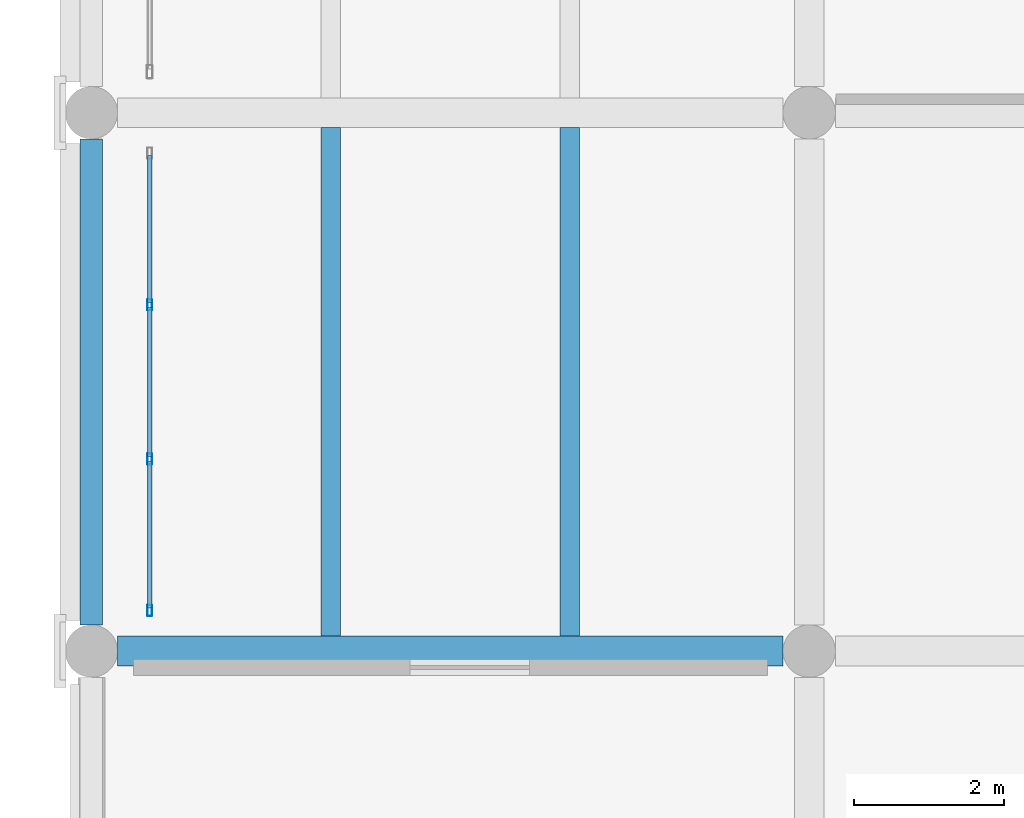
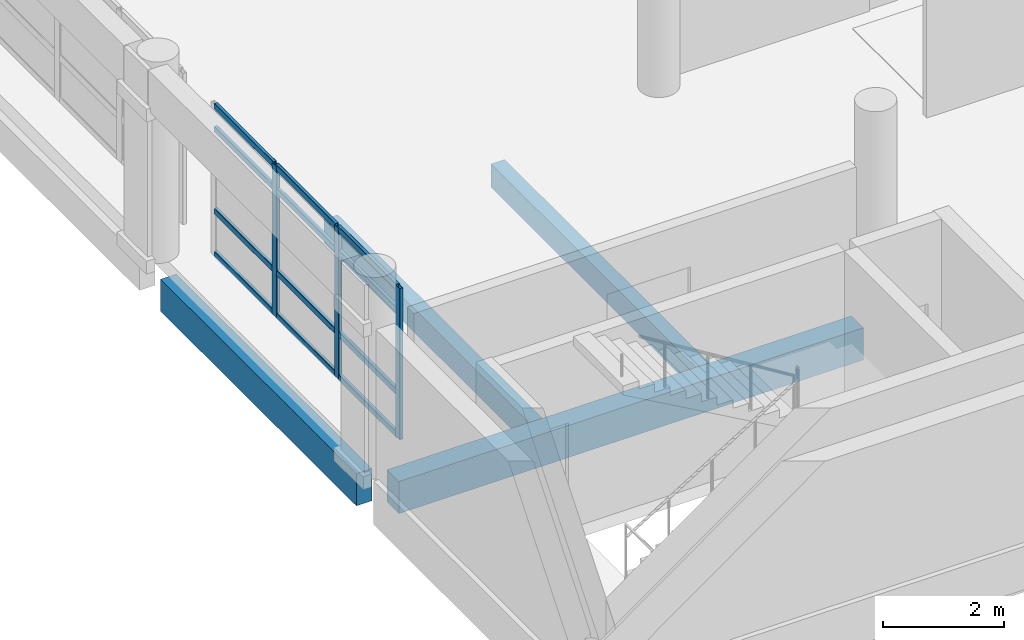
# One storey, part 35 of 180: 15 members, 4 beams, 1 element without a shape of its own.
"""IFC4 building model written with IfcOpenShell, lengths in metres."""

from ifc_helpers import new_model, si_unit, direction, frame, origin, origin_2d, place, context, subcontext, project, spatial, rectangle, hollow_rectangle, extrude, material, layer, layer_set, material_profile, profile_set, type_object, element, aggregate, save


model = new_model("IFC4")

# Units and contexts
model_context = context("Model", 3, precision=1e-05, world=origin(), true_north=direction((0.0, 1.0)))
body_context = subcontext(model_context, "Body", "Model", "MODEL_VIEW")
ifc_project = project(units=[si_unit("LENGTHUNIT", "METRE"), si_unit("AREAUNIT", "SQUARE_METRE"), si_unit("VOLUMEUNIT", "CUBIC_METRE"), si_unit("PLANEANGLEUNIT", "RADIAN"), si_unit("MASSUNIT", "GRAM", prefix="KILO")], contexts=[model_context])

# Site, building, storey
site_placement = place(None, origin())
site = spatial("IfcSite", under=ifc_project, at=site_placement, CompositionType="ELEMENT")
building_placement = place(site_placement, origin())
building = spatial("IfcBuilding", under=site, at=building_placement, Name="Asteropetra Specialist Clinic", CompositionType="ELEMENT")
storey_placement = place(building_placement, frame((0.0, 0.0, 4.419921875)))
storey = spatial("IfcBuildingStorey", under=building, at=storey_placement, Name="L01", CompositionType="ELEMENT", Elevation=4.419921875)

# Beam
ifc_material_1 = material(Name="Concrete C35/45", Category="concrete")
ifc_material_profile_1 = material_profile(ifc_material_1, rectangle(XDim=0.39990234375, YDim=0.64990234375, at=origin_2d()), Name="RCB 400x650")
ifc_profile_set_1 = profile_set([ifc_material_profile_1], Name="Concrete C35/45")
beam_type_1 = type_object("IfcBeamType", Name="BM-RC400x650", PredefinedType="BEAM", material=ifc_profile_set_1)
beam_1_placement = place(storey_placement, frame((0.35009765625, 40.800048828125, -0.625), z_axis=(1.0, 0.0, 0.0), x_axis=(0.0, 1.0, 0.0)))
element("IfcBeam", 1, at=beam_1_placement, inside=storey, type_object=beam_type_1, Name="Beam BBM07-0314", PredefinedType="BEAM", context=body_context, shape_type="SweptSolid", body=[
    extrude(rectangle(XDim=0.39990234375, YDim=0.64990234375, at=origin_2d()), origin(), (0.0, 0.0, 1.0), 8.89990234375),
])

# Curtain wall, members
ifc_material_2 = material(Name="Aluminium and low-E glass", Category="aluminium")
ifc_layer = layer(ifc_material_2, 0.179931640625)
ifc_layer_set = layer_set([ifc_layer], Name="Aluminium and low-E glass")
curtain_wall_type = type_object("IfcCurtainWallType", Name="CW-SYS-10", PredefinedType="USERDEFINED", material=ifc_layer_set)
curtain_wall_placement = place(storey_placement, origin())
curtain_wall = element("IfcCurtainWall", 2, at=curtain_wall_placement, inside=storey, type_object=curtain_wall_type, Name="Curtain Wall CW-160", ObjectType="STICK GLAZED COLONNADE", PredefinedType="USERDEFINED")
ifc_material_3 = material(Name="Aluminium 6063-T6", Category="aluminium")
ifc_material_profile_2 = material_profile(ifc_material_3, hollow_rectangle(XDim=0.06494140625, YDim=0.14990234375, WallThickness=0.00390625, InnerFilletRadius=0.00390625, OuterFilletRadius=0.008056640625, at=origin_2d()), Name="MUL 150x65x4.0")
ifc_profile_set_2 = profile_set([ifc_material_profile_2], Name="Aluminium 6063-T6")
member_type_1 = type_object("IfcMemberType", Name="CWM-150x65", PredefinedType="MULLION", material=ifc_profile_set_2)
member_1_placement = place(storey_placement, frame((0.780029296875, 45.429931640625, 0.0), z_axis=(0.0, 0.0, 1.0), x_axis=(1.0, 0.0, 0.0)))
member_1 = element("IfcMember", 3, at=member_1_placement, type_object=member_type_1, Name="CW-160 mullion 2", PredefinedType="MULLION", context=body_context, shape_type="SweptSolid", body=[
    extrude(hollow_rectangle(XDim=0.06494140625, YDim=0.14990234375, WallThickness=0.00390625, InnerFilletRadius=0.00390625, OuterFilletRadius=0.008056640625, at=origin_2d()), origin(), (0.0, 0.0, 1.0), 3.06005859375),
])
member_2_placement = place(storey_placement, frame((0.780029296875, 43.3701171875, 0.0), z_axis=(0.0, 0.0, 1.0), x_axis=(1.0, 0.0, 0.0)))
member_2 = element("IfcMember", 4, at=member_2_placement, type_object=member_type_1, Name="CW-160 mullion 3", PredefinedType="MULLION", context=body_context, shape_type="SweptSolid", body=[
    extrude(hollow_rectangle(XDim=0.06494140625, YDim=0.14990234375, WallThickness=0.00390625, InnerFilletRadius=0.00390625, OuterFilletRadius=0.008056640625, at=origin_2d()), origin(), (0.0, 0.0, 1.0), 3.06005859375),
])
member_3_placement = place(storey_placement, frame((0.780029296875, 41.342529296875, 0.0), z_axis=(0.0, 0.0, 1.0), x_axis=(1.0, 0.0, 0.0)))
member_3 = element("IfcMember", 5, at=member_3_placement, type_object=member_type_1, Name="CW-160 mullion 4", PredefinedType="MULLION", context=body_context, shape_type="SweptSolid", body=[
    extrude(hollow_rectangle(XDim=0.06494140625, YDim=0.14990234375, WallThickness=0.00390625, InnerFilletRadius=0.00390625, OuterFilletRadius=0.008056640625, at=origin_2d()), origin(), (0.0, 0.0, 1.0), 3.06005859375),
])
ifc_material_4 = material(Name="Aluminium 6063-T6", Category="aluminium")
ifc_material_profile_3 = material_profile(ifc_material_4, hollow_rectangle(XDim=0.06494140625, YDim=0.1201171875, WallThickness=0.00390625, InnerFilletRadius=0.00390625, OuterFilletRadius=0.008056640625, at=origin_2d()), Name="TRN 120x65x4.0")
ifc_profile_set_3 = profile_set([ifc_material_profile_3], Name="Aluminium 6063-T6")
member_type_2 = type_object("IfcMemberType", Name="CWT-120x65", PredefinedType="USERDEFINED", material=ifc_profile_set_3)
member_4_placement = place(storey_placement, frame((0.780029296875, 47.425048828125, 0.032470703125), z_axis=(0.0, -1.0, 0.0), x_axis=(1.0, 0.0, 0.0)))
member_4 = element("IfcMember", 6, at=member_4_placement, type_object=member_type_2, Name="CW-160 transom 1.1", ObjectType="TRANSOM", PredefinedType="USERDEFINED", context=body_context, shape_type="SweptSolid", body=[
    extrude(hollow_rectangle(XDim=0.06494140625, YDim=0.1201171875, WallThickness=0.00390625, InnerFilletRadius=0.00390625, OuterFilletRadius=0.008056640625, at=origin_2d()), origin(), (0.0, 0.0, 1.0), 1.962646484375),
])
member_5_placement = place(storey_placement, frame((0.780029296875, 47.425048828125, 0.900146484375), z_axis=(0.0, -1.0, 0.0), x_axis=(1.0, 0.0, 0.0)))
member_5 = element("IfcMember", 7, at=member_5_placement, type_object=member_type_2, Name="CW-160 transom 1.2", ObjectType="TRANSOM", PredefinedType="USERDEFINED", context=body_context, shape_type="SweptSolid", body=[
    extrude(hollow_rectangle(XDim=0.06494140625, YDim=0.1201171875, WallThickness=0.00390625, InnerFilletRadius=0.00390625, OuterFilletRadius=0.008056640625, at=origin_2d()), origin(), (0.0, 0.0, 1.0), 1.962646484375),
])
member_6_placement = place(storey_placement, frame((0.780029296875, 47.425048828125, 2.56005859375), z_axis=(0.0, -1.0, 0.0), x_axis=(1.0, 0.0, 0.0)))
member_6 = element("IfcMember", 8, at=member_6_placement, type_object=member_type_2, Name="CW-160 transom 1.3", ObjectType="TRANSOM", PredefinedType="USERDEFINED", context=body_context, shape_type="SweptSolid", body=[
    extrude(hollow_rectangle(XDim=0.06494140625, YDim=0.1201171875, WallThickness=0.00390625, InnerFilletRadius=0.00390625, OuterFilletRadius=0.008056640625, at=origin_2d()), origin(), (0.0, 0.0, 1.0), 1.962646484375),
])
member_7_placement = place(storey_placement, frame((0.780029296875, 47.425048828125, 3.027587890625), z_axis=(0.0, -1.0, 0.0), x_axis=(1.0, 0.0, 0.0)))
member_7 = element("IfcMember", 9, at=member_7_placement, type_object=member_type_2, Name="CW-160 transom 1.4", ObjectType="TRANSOM", PredefinedType="USERDEFINED", context=body_context, shape_type="SweptSolid", body=[
    extrude(hollow_rectangle(XDim=0.06494140625, YDim=0.1201171875, WallThickness=0.00390625, InnerFilletRadius=0.00390625, OuterFilletRadius=0.008056640625, at=origin_2d()), origin(), (0.0, 0.0, 1.0), 1.962646484375),
])
member_8_placement = place(storey_placement, frame((0.780029296875, 45.3974609375, 0.032470703125), z_axis=(0.0, -1.0, 0.0), x_axis=(1.0, 0.0, 0.0)))
member_8 = element("IfcMember", 10, at=member_8_placement, type_object=member_type_2, Name="CW-160 transom 2.1", ObjectType="TRANSOM", PredefinedType="USERDEFINED", context=body_context, shape_type="SweptSolid", body=[
    extrude(hollow_rectangle(XDim=0.06494140625, YDim=0.1201171875, WallThickness=0.00390625, InnerFilletRadius=0.00390625, OuterFilletRadius=0.008056640625, at=origin_2d()), origin(), (0.0, 0.0, 1.0), 1.994873046875),
])
member_9_placement = place(storey_placement, frame((0.780029296875, 45.3974609375, 0.900146484375), z_axis=(0.0, -1.0, 0.0), x_axis=(1.0, 0.0, 0.0)))
member_9 = element("IfcMember", 11, at=member_9_placement, type_object=member_type_2, Name="CW-160 transom 2.2", ObjectType="TRANSOM", PredefinedType="USERDEFINED", context=body_context, shape_type="SweptSolid", body=[
    extrude(hollow_rectangle(XDim=0.06494140625, YDim=0.1201171875, WallThickness=0.00390625, InnerFilletRadius=0.00390625, OuterFilletRadius=0.008056640625, at=origin_2d()), origin(), (0.0, 0.0, 1.0), 1.994873046875),
])
member_10_placement = place(storey_placement, frame((0.780029296875, 45.3974609375, 2.56005859375), z_axis=(0.0, -1.0, 0.0), x_axis=(1.0, 0.0, 0.0)))
member_10 = element("IfcMember", 12, at=member_10_placement, type_object=member_type_2, Name="CW-160 transom 2.3", ObjectType="TRANSOM", PredefinedType="USERDEFINED", context=body_context, shape_type="SweptSolid", body=[
    extrude(hollow_rectangle(XDim=0.06494140625, YDim=0.1201171875, WallThickness=0.00390625, InnerFilletRadius=0.00390625, OuterFilletRadius=0.008056640625, at=origin_2d()), origin(), (0.0, 0.0, 1.0), 1.994873046875),
])
member_11_placement = place(storey_placement, frame((0.780029296875, 45.3974609375, 3.027587890625), z_axis=(0.0, -1.0, 0.0), x_axis=(1.0, 0.0, 0.0)))
member_11 = element("IfcMember", 13, at=member_11_placement, type_object=member_type_2, Name="CW-160 transom 2.4", ObjectType="TRANSOM", PredefinedType="USERDEFINED", context=body_context, shape_type="SweptSolid", body=[
    extrude(hollow_rectangle(XDim=0.06494140625, YDim=0.1201171875, WallThickness=0.00390625, InnerFilletRadius=0.00390625, OuterFilletRadius=0.008056640625, at=origin_2d()), origin(), (0.0, 0.0, 1.0), 1.994873046875),
])
member_12_placement = place(storey_placement, frame((0.780029296875, 43.33740234375, 0.032470703125), z_axis=(0.0, -1.0, 0.0), x_axis=(1.0, 0.0, 0.0)))
member_12 = element("IfcMember", 14, at=member_12_placement, type_object=member_type_2, Name="CW-160 transom 3.1", ObjectType="TRANSOM", PredefinedType="USERDEFINED", context=body_context, shape_type="SweptSolid", body=[
    extrude(hollow_rectangle(XDim=0.06494140625, YDim=0.1201171875, WallThickness=0.00390625, InnerFilletRadius=0.00390625, OuterFilletRadius=0.008056640625, at=origin_2d()), origin(), (0.0, 0.0, 1.0), 1.96240234375),
])
member_13_placement = place(storey_placement, frame((0.780029296875, 43.33740234375, 0.900146484375), z_axis=(0.0, -1.0, 0.0), x_axis=(1.0, 0.0, 0.0)))
member_13 = element("IfcMember", 15, at=member_13_placement, type_object=member_type_2, Name="CW-160 transom 3.2", ObjectType="TRANSOM", PredefinedType="USERDEFINED", context=body_context, shape_type="SweptSolid", body=[
    extrude(hollow_rectangle(XDim=0.06494140625, YDim=0.1201171875, WallThickness=0.00390625, InnerFilletRadius=0.00390625, OuterFilletRadius=0.008056640625, at=origin_2d()), origin(), (0.0, 0.0, 1.0), 1.96240234375),
])
member_14_placement = place(storey_placement, frame((0.780029296875, 43.33740234375, 2.56005859375), z_axis=(0.0, -1.0, 0.0), x_axis=(1.0, 0.0, 0.0)))
member_14 = element("IfcMember", 16, at=member_14_placement, type_object=member_type_2, Name="CW-160 transom 3.3", ObjectType="TRANSOM", PredefinedType="USERDEFINED", context=body_context, shape_type="SweptSolid", body=[
    extrude(hollow_rectangle(XDim=0.06494140625, YDim=0.1201171875, WallThickness=0.00390625, InnerFilletRadius=0.00390625, OuterFilletRadius=0.008056640625, at=origin_2d()), origin(), (0.0, 0.0, 1.0), 1.96240234375),
])
member_15_placement = place(storey_placement, frame((0.780029296875, 43.33740234375, 3.027587890625), z_axis=(0.0, -1.0, 0.0), x_axis=(1.0, 0.0, 0.0)))
member_15 = element("IfcMember", 17, at=member_15_placement, type_object=member_type_2, Name="CW-160 transom 3.4", ObjectType="TRANSOM", PredefinedType="USERDEFINED", context=body_context, shape_type="SweptSolid", body=[
    extrude(hollow_rectangle(XDim=0.06494140625, YDim=0.1201171875, WallThickness=0.00390625, InnerFilletRadius=0.00390625, OuterFilletRadius=0.008056640625, at=origin_2d()), origin(), (0.0, 0.0, 1.0), 1.96240234375),
])
aggregate(curtain_wall, [member_1, member_2, member_3, member_4, member_5, member_6, member_7, member_8, member_9, member_10, member_11, member_12, member_13, member_14, member_15])

# Beams
ifc_material_5 = material(Name="Concrete C35/45", Category="concrete")
ifc_material_profile_4 = material_profile(ifc_material_5, rectangle(XDim=0.260009765625, YDim=0.47998046875, at=origin_2d()), Name="RCJ 260x480")
ifc_profile_set_4 = profile_set([ifc_material_profile_4], Name="Concrete C35/45")
beam_type_2 = type_object("IfcBeamType", Name="JST-RC260x480", PredefinedType="JOIST", material=ifc_profile_set_4)
for number, where, z_axis, x_axis, name in (
    (18, (3.199951171875, 41.0, -0.5400390625), (0.0, 1.0, 0.0), (-1.0, 0.0, 0.0), "Joist JJST02-0354"),
    (19, (6.39990234375, 41.0, -0.5400390625), (0.0, 1.0, 0.0), (-1.0, 0.0, 0.0), "Joist JJST02-0355"),
):
    element("IfcBeam", number, at=place(storey_placement, frame(where, z_axis=z_axis, x_axis=x_axis)), inside=storey, type_object=beam_type_2, Name=name, PredefinedType="JOIST", context=body_context, shape_type="SweptSolid", body=[
        extrude(rectangle(XDim=0.260009765625, YDim=0.47998046875, at=origin_2d()), origin(), (0.0, 0.0, 1.0), 6.800048828125),
    ])
ifc_material_6 = material(Name="Concrete C35/45", Category="concrete")
ifc_material_profile_5 = material_profile(ifc_material_6, rectangle(XDim=0.300048828125, YDim=0.64990234375, at=origin_2d()), Name="RCS 300x650")
ifc_profile_set_5 = profile_set([ifc_material_profile_5], Name="Concrete C35/45")
beam_type_3 = type_object("IfcBeamType", Name="SPN-RC300x650", PredefinedType="SPANDREL", material=ifc_profile_set_5)
beam_2_placement = place(storey_placement, frame((0.0, 41.14990234375, -0.625), z_axis=(0.0, 1.0, 0.0), x_axis=(-1.0, 0.0, 0.0)))
element("IfcBeam", 20, at=beam_2_placement, inside=storey, type_object=beam_type_3, Name="Beam BSPN03-0348", PredefinedType="SPANDREL", context=body_context, shape_type="SweptSolid", body=[
    extrude(rectangle(XDim=0.300048828125, YDim=0.64990234375, at=origin_2d()), origin(), (0.0, 0.0, 1.0), 6.5),
])

save(model, "model.ifc")
